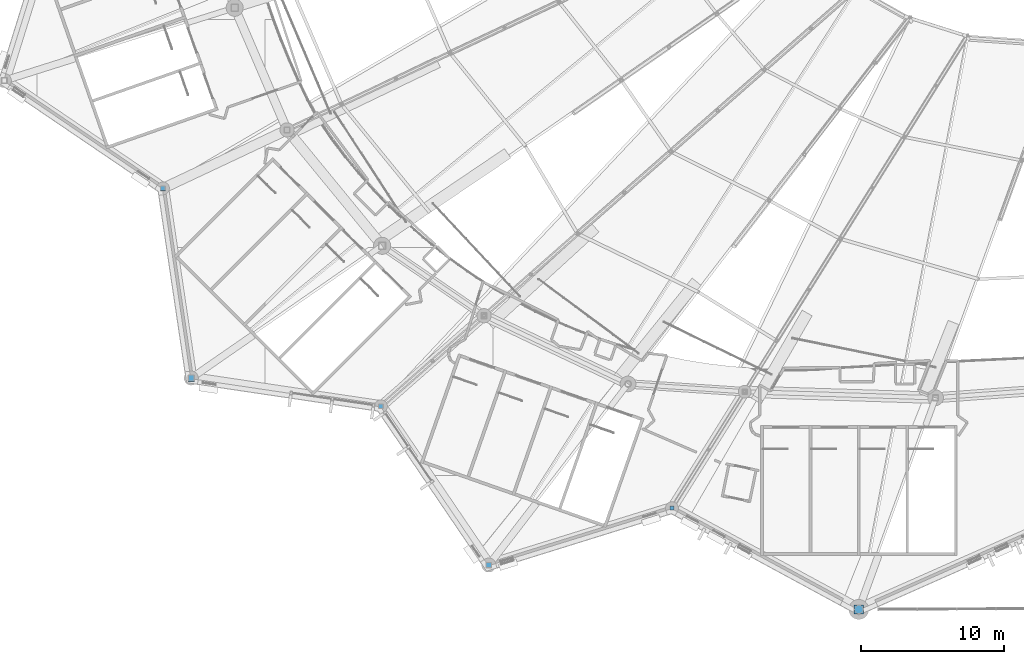
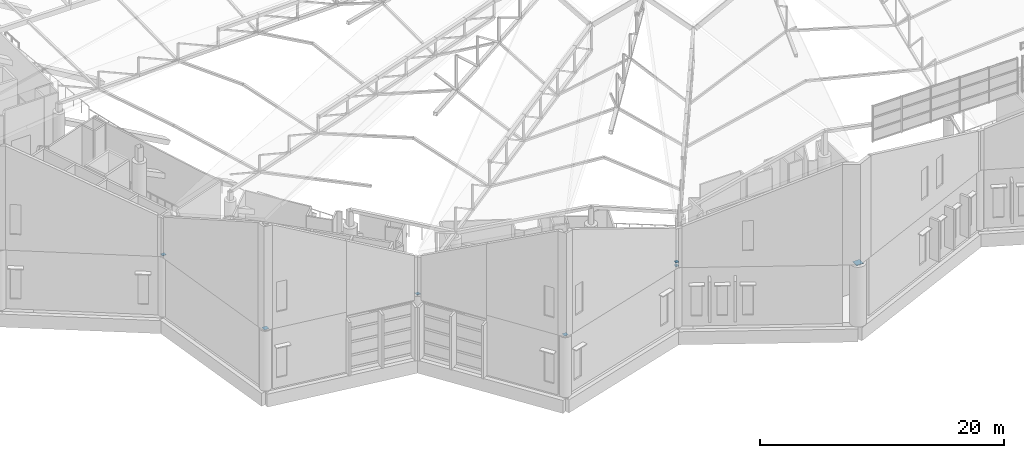
# One storey, part 276 of 344: 8 discrete accessories.
"""IFC4 building model written with IfcOpenShell, lengths in metres."""

from ifc_helpers import new_model, si_unit, direction, frame, origin, origin_2d, place, context, subcontext, project, spatial, rectangle, extrude, material, material_profile, profile_set, type_object, element, save


model = new_model("IFC4")

# Units and contexts
model_context = context("Model", 3, precision=1e-05, world=origin(), true_north=direction((0.0, 1.0)))
body_context = subcontext(model_context, "Body", "Model", "MODEL_VIEW")
ifc_project = project(units=[si_unit("LENGTHUNIT", "METRE"), si_unit("AREAUNIT", "SQUARE_METRE"), si_unit("VOLUMEUNIT", "CUBIC_METRE"), si_unit("PLANEANGLEUNIT", "RADIAN"), si_unit("MASSUNIT", "GRAM", prefix="KILO")], contexts=[model_context])

# Site, building, storey
site_placement = place(None, origin())
site = spatial("IfcSite", under=ifc_project, at=site_placement, CompositionType="ELEMENT")
building_placement = place(site_placement, origin())
building = spatial("IfcBuilding", under=site, at=building_placement, Name="Meseta Stadium", CompositionType="ELEMENT")
storey_placement = place(building_placement, frame((0.0, 0.0, 24.0)))
storey = spatial("IfcBuildingStorey", under=building, at=storey_placement, Name="L04", CompositionType="ELEMENT", Elevation=24.0)

# Discrete accessories
ifc_material_1 = material(Name="Steel S355", Category="steel")
ifc_material_profile_1 = material_profile(ifc_material_1, rectangle(XDim=0.2900390625, YDim=0.2900390625, at=origin_2d()), Name="PL 290x290")
ifc_profile_set_1 = profile_set([ifc_material_profile_1], Name="Steel S355")
discrete_accessory_type_1 = type_object("IfcDiscreteAccessoryType", Name="End plate 290x290x20", PredefinedType="ANCHORPLATE", material=ifc_profile_set_1)
for number, where, z_axis, x_axis, name in (
    (1, (-51.44140625, -98.29443359375, 6.357666015625), (0.0, 0.0, 1.0), (1.0, 0.0, 0.0), "End plate of ROOF TRUSS RT-43 post"),
    (2, (-51.44140625, -98.29443359375, 5.97998046875), (0.0, 0.0, 1.0), (1.0, 0.0, 0.0), "End plate of ROOF RIM POST RT-43"),
    (3, (-51.44140625, -98.29443359375, 6.377685546875), (0.0, 0.0, 1.0), (1.0, 0.0, 0.0), "End plate of ROOF RIM POST RT-43"),
):
    element("IfcDiscreteAccessory", number, at=place(storey_placement, frame(where, z_axis=z_axis, x_axis=x_axis)), inside=storey, type_object=discrete_accessory_type_1, Name=name, PredefinedType="ANCHORPLATE", context=body_context, shape_type="SweptSolid", body=[
        extrude(rectangle(XDim=0.2900390625, YDim=0.2900390625, at=origin_2d()), origin(), (0.0, 0.0, 1.0), 0.02001953125),
    ])
ifc_material_2 = material(Name="Steel S355", Category="steel")
ifc_material_profile_2 = material_profile(ifc_material_2, rectangle(XDim=0.340087890625, YDim=0.340087890625, at=origin_2d()), Name="PL 340x340")
ifc_profile_set_2 = profile_set([ifc_material_profile_2], Name="Steel S355")
discrete_accessory_type_2 = type_object("IfcDiscreteAccessoryType", Name="End plate 340x340x20", PredefinedType="ANCHORPLATE", material=ifc_profile_set_2)
for number, where, z_axis, x_axis, name in (
    (4, (-87.15087890625, -75.856689453125, 5.97998046875), (0.0, 0.0, 1.0), (1.0, 0.0, 0.0), "End plate of ROOF RIM POST RT-39"),
    (5, (-71.856689453125, -91.15087890625, 5.97998046875), (0.0, 0.0, 1.0), (1.0, 0.0, 0.0), "End plate of ROOF RIM POST RT-41"),
):
    element("IfcDiscreteAccessory", number, at=place(storey_placement, frame(where, z_axis=z_axis, x_axis=x_axis)), inside=storey, type_object=discrete_accessory_type_2, Name=name, PredefinedType="ANCHORPLATE", context=body_context, shape_type="SweptSolid", body=[
        extrude(rectangle(XDim=0.340087890625, YDim=0.340087890625, at=origin_2d()), origin(), (0.0, 0.0, 1.0), 0.02001953125),
    ])
ifc_material_3 = material(Name="Steel S355", Category="steel")
ifc_material_profile_3 = material_profile(ifc_material_3, rectangle(XDim=0.389892578125, YDim=0.389892578125, at=origin_2d()), Name="PL 390x390")
ifc_profile_set_3 = profile_set([ifc_material_profile_3], Name="Steel S355")
discrete_accessory_type_3 = type_object("IfcDiscreteAccessoryType", Name="End plate 390x390x20", PredefinedType="ANCHORPLATE", material=ifc_profile_set_3)
discrete_accessory_1_placement = place(storey_placement, frame((-64.29736328125, -102.291015625, 5.97998046875), z_axis=(0.0, 0.0, 1.0), x_axis=(1.0, 0.0, 0.0)))
element("IfcDiscreteAccessory", 6, at=discrete_accessory_1_placement, inside=storey, type_object=discrete_accessory_type_3, Name="End plate of ROOF RIM POST RT-42", PredefinedType="ANCHORPLATE", context=body_context, shape_type="SweptSolid", body=[
    extrude(rectangle(XDim=0.389892578125, YDim=0.389892578125, at=origin_2d()), origin(), (0.0, 0.0, 1.0), 0.02001953125),
])
ifc_material_4 = material(Name="Steel S355", Category="steel")
ifc_material_profile_4 = material_profile(ifc_material_4, rectangle(XDim=0.43994140625, YDim=0.43994140625, at=origin_2d()), Name="PL 440x440")
ifc_profile_set_4 = profile_set([ifc_material_profile_4], Name="Steel S355")
discrete_accessory_type_4 = type_object("IfcDiscreteAccessoryType", Name="End plate 440x440x20", PredefinedType="ANCHORPLATE", material=ifc_profile_set_4)
discrete_accessory_2_placement = place(storey_placement, frame((-85.173828125, -89.173828125, 5.97998046875), z_axis=(0.0, 0.0, 1.0), x_axis=(1.0, 0.0, 0.0)))
element("IfcDiscreteAccessory", 7, at=discrete_accessory_2_placement, inside=storey, type_object=discrete_accessory_type_4, Name="End plate of ROOF RIM POST RT-40", PredefinedType="ANCHORPLATE", context=body_context, shape_type="SweptSolid", body=[
    extrude(rectangle(XDim=0.43994140625, YDim=0.43994140625, at=origin_2d()), origin(), (0.0, 0.0, 1.0), 0.02001953125),
])
ifc_material_5 = material(Name="Steel S355", Category="steel")
ifc_material_profile_5 = material_profile(ifc_material_5, rectangle(XDim=0.64990234375, YDim=0.64990234375, at=origin_2d()), Name="PL 650x650")
ifc_profile_set_5 = profile_set([ifc_material_profile_5], Name="Steel S355")
discrete_accessory_type_5 = type_object("IfcDiscreteAccessoryType", Name="End plate 650x650x20", PredefinedType="ANCHORPLATE", material=ifc_profile_set_5)
discrete_accessory_3_placement = place(storey_placement, frame((-38.333251953125, -105.39990234375, 5.97998046875), z_axis=(0.0, 0.0, 1.0), x_axis=(1.0, 0.0, 0.0)))
element("IfcDiscreteAccessory", 8, at=discrete_accessory_3_placement, inside=storey, type_object=discrete_accessory_type_5, Name="End plate of GABLE ARCH GA-S pylon post", PredefinedType="ANCHORPLATE", context=body_context, shape_type="SweptSolid", body=[
    extrude(rectangle(XDim=0.64990234375, YDim=0.64990234375, at=origin_2d()), origin(), (0.0, 0.0, 1.0), 0.02001953125),
])

save(model, "model.ifc")
